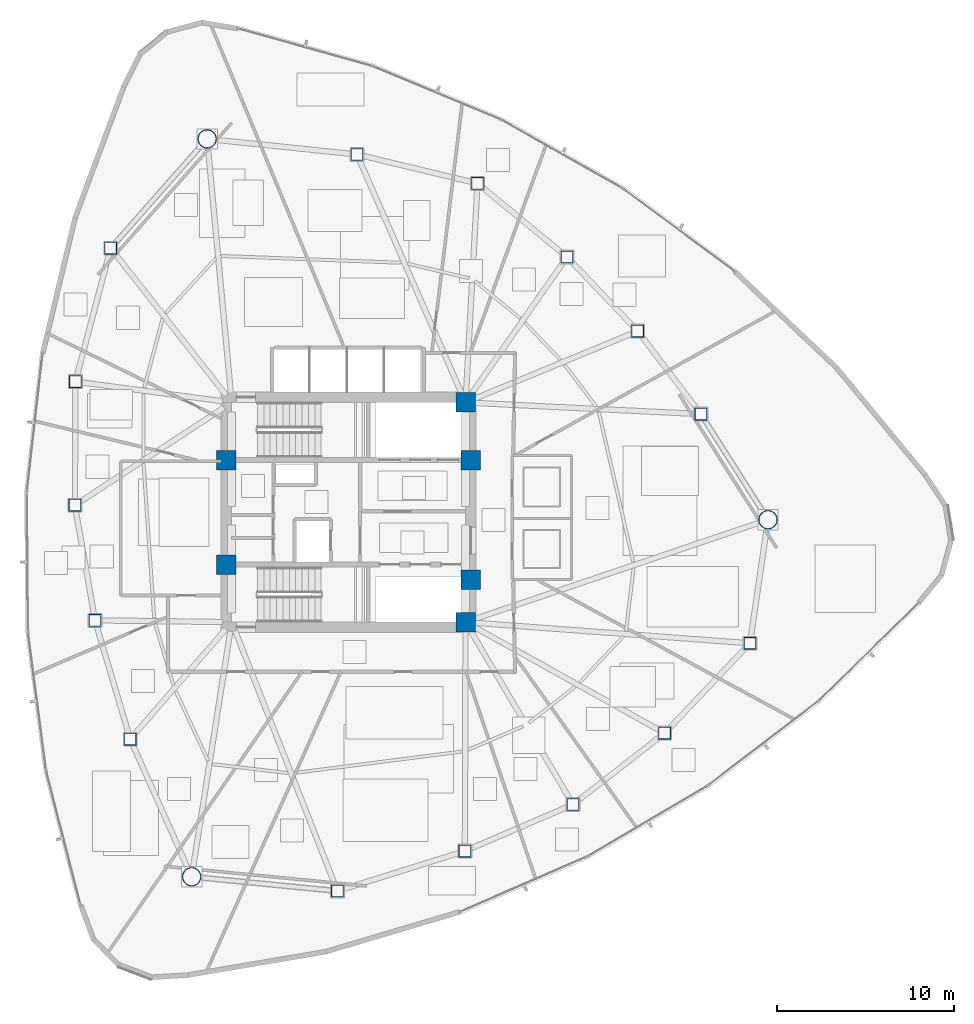
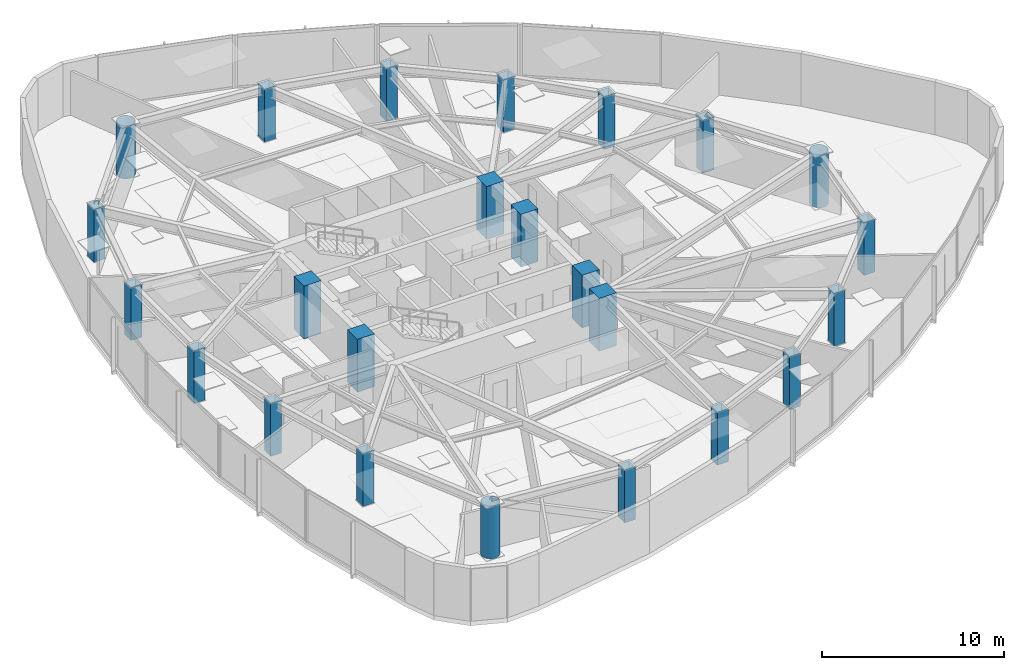
# One storey, part 1 of 18: 24 columns.
"""IFC4 building model written with IfcOpenShell, lengths in metres."""

from ifc_helpers import new_model, si_unit, direction, frame, origin, origin_2d, place, context, subcontext, project, spatial, rectangle, hollow_rectangle, hollow_circle, extrude, material, material_profile, profile_set, type_object, element, save


model = new_model("IFC4")

# Units and contexts
model_context = context("Model", 3, precision=1e-05, world=origin(), true_north=direction((0.0, 1.0)))
body_context = subcontext(model_context, "Body", "Model", "MODEL_VIEW")
ifc_project = project(units=[si_unit("LENGTHUNIT", "METRE"), si_unit("AREAUNIT", "SQUARE_METRE"), si_unit("VOLUMEUNIT", "CUBIC_METRE"), si_unit("PLANEANGLEUNIT", "RADIAN"), si_unit("MASSUNIT", "GRAM", prefix="KILO")], contexts=[model_context])

# Site, building, storey
site_placement = place(None, origin())
site = spatial("IfcSite", under=ifc_project, at=site_placement, CompositionType="ELEMENT")
building_placement = place(site_placement, origin())
building = spatial("IfcBuilding", under=site, at=building_placement, Name="Tavelor Broadcast Tower", CompositionType="ELEMENT")
storey_placement = place(building_placement, frame((0.0, 0.0, 146.39990234375)))
storey = spatial("IfcBuildingStorey", under=building, at=storey_placement, Name="L34", CompositionType="ELEMENT", Elevation=146.39990234375)

# Columns
ifc_material_1 = material(Name="Concrete C60/75", Category="concrete")
ifc_material_profile_1 = material_profile(ifc_material_1, rectangle(XDim=1.10009765625, YDim=1.10009765625, at=origin_2d()), Name="RC 1100x1100")
ifc_profile_set_1 = profile_set([ifc_material_profile_1], Name="Concrete C60/75")
column_type_1 = type_object("IfcColumnType", Name="Core Embedded Composite Column RC1100", PredefinedType="COLUMN", material=ifc_profile_set_1)
for number, where, z_axis, x_axis, name in (
    (1, (43.10009765625, 47.949951171875, 0.0), (0.0, 0.0, 1.0), (1.0, 0.0, 0.0), "L34 Core Embedded Column 1"),
    (2, (56.89990234375, 47.949951171875, 0.0), (0.0, 0.0, 1.0), (1.0, 0.0, 0.0), "L34 Core Embedded Column 2"),
    (3, (56.60009765625, 51.199951171875, 0.0), (0.0, 0.0, 1.0), (1.0, 0.0, 0.0), "L34 Core Embedded Column 3"),
    (4, (43.10009765625, 42.050048828125, 0.0), (0.0, 0.0, 1.0), (1.0, 0.0, 0.0), "L34 Core Embedded Column 4"),
    (5, (56.89990234375, 41.199951171875, 0.0), (0.0, 0.0, 1.0), (1.0, 0.0, 0.0), "L34 Core Embedded Column 5"),
    (6, (56.60009765625, 38.800048828125, 0.0), (0.0, 0.0, 1.0), (1.0, 0.0, 0.0), "L34 Core Embedded Column 6"),
):
    element("IfcColumn", number, at=place(storey_placement, frame(where, z_axis=z_axis, x_axis=x_axis)), inside=storey, type_object=column_type_1, Name=name, PredefinedType="COLUMN", context=body_context, shape_type="SweptSolid", body=[
        extrude(rectangle(XDim=1.10009765625, YDim=1.10009765625, at=origin_2d()), origin(), (0.0, 0.0, 1.0), 3.550048828125),
    ])
ifc_material_2 = material(Name="Steel S460", Category="steel")
ifc_material_profile_2 = material_profile(ifc_material_2, hollow_rectangle(XDim=0.699951171875, YDim=0.699951171875, WallThickness=0.0400390625, at=origin_2d()), Name="SHS 700x700x40")
ifc_profile_set_2 = profile_set([ifc_material_profile_2], Name="Steel S460")
column_type_2 = type_object("IfcColumnType", Name="Perimeter Tube Column T3 SHS 700x700x40", PredefinedType="COLUMN", material=ifc_profile_set_2)
for number, where, z_axis, x_axis, name in (
    (7, (36.567626953125, 59.91064453125, 0.0), (0.0, 0.0, 1.0), (1.0, 0.0, 0.0), "L34 Perimeter Framed-Tube Column 02"),
    (8, (34.5751953125, 52.37939453125, 0.0), (0.0, 0.0, 1.0), (1.0, 0.0, 0.0), "L34 Perimeter Framed-Tube Column 03"),
    (9, (34.54638671875, 45.399169921875, 0.0), (0.0, 0.0, 1.0), (1.0, 0.0, 0.0), "L34 Perimeter Framed-Tube Column 04"),
    (10, (35.680908203125, 38.89990234375, 0.0), (0.0, 0.0, 1.0), (1.0, 0.0, 0.0), "L34 Perimeter Framed-Tube Column 05"),
    (11, (37.668212890625, 32.1904296875, 0.0), (0.0, 0.0, 1.0), (1.0, 0.0, 0.0), "L34 Perimeter Framed-Tube Column 06"),
    (12, (49.366455078125, 23.618896484375, 0.0), (0.0, 0.0, 1.0), (1.0, 0.0, 0.0), "L34 Perimeter Framed-Tube Column 08"),
    (13, (56.56103515625, 25.872802734375, 0.0), (0.0, 0.0, 1.0), (1.0, 0.0, 0.0), "L34 Perimeter Framed-Tube Column 09"),
    (14, (62.669189453125, 28.503173828125, 0.0), (0.0, 0.0, 1.0), (1.0, 0.0, 0.0), "L34 Perimeter Framed-Tube Column 10"),
    (15, (67.84228515625, 32.53173828125, 0.0), (0.0, 0.0, 1.0), (1.0, 0.0, 0.0), "L34 Perimeter Framed-Tube Column 11"),
    (16, (72.6591796875, 37.607421875, 0.0), (0.0, 0.0, 1.0), (1.0, 0.0, 0.0), "L34 Perimeter Framed-Tube Column 12"),
    (17, (69.885986328125, 50.544189453125, 0.0), (0.0, 0.0, 1.0), (1.0, 0.0, 0.0), "L34 Perimeter Framed-Tube Column 14"),
    (18, (66.322021484375, 55.228759765625, 0.0), (0.0, 0.0, 1.0), (1.0, 0.0, 0.0), "L34 Perimeter Framed-Tube Column 15"),
    (19, (62.330810546875, 59.416259765625, 0.0), (0.0, 0.0, 1.0), (1.0, 0.0, 0.0), "L34 Perimeter Framed-Tube Column 16"),
    (20, (57.276611328125, 63.568359375, 0.0), (0.0, 0.0, 1.0), (1.0, 0.0, 0.0), "L34 Perimeter Framed-Tube Column 17"),
    (21, (50.472412109375, 65.2021484375, 0.0), (0.0, 0.0, 1.0), (1.0, 0.0, 0.0), "L34 Perimeter Framed-Tube Column 18"),
):
    element("IfcColumn", number, at=place(storey_placement, frame(where, z_axis=z_axis, x_axis=x_axis)), inside=storey, type_object=column_type_2, Name=name, PredefinedType="COLUMN", context=body_context, shape_type="SweptSolid", body=[
        extrude(hollow_rectangle(XDim=0.699951171875, YDim=0.699951171875, WallThickness=0.0400390625, at=origin_2d()), origin(), (0.0, 0.0, 1.0), 3.550048828125),
    ])
ifc_material_profile_3 = material_profile(ifc_material_2, hollow_circle(Radius=0.533447265625, WallThickness=0.044921875, at=origin_2d()), Name="CHS 1067x45")
ifc_profile_set_3 = profile_set([ifc_material_profile_3], Name="Steel S460")
column_type_3 = type_object("IfcColumnType", Name="Tower Mega Column T3 CHS 1067x45", PredefinedType="COLUMN", material=ifc_profile_set_3)
for number, where, z_axis, x_axis, name in (
    (22, (42.01123046875, 66.080078125, 0.0), (0.0, 0.0, 1.0), (1.0, 0.0, 0.0), "L34 Tower Corner Mega Column 01"),
    (23, (41.138671875, 24.423828125, 0.0), (0.0, 0.0, 1.0), (1.0, 0.0, 0.0), "L34 Tower Corner Mega Column 07"),
    (24, (73.676025390625, 44.57958984375, 0.0), (0.0, 0.0, 1.0), (1.0, 0.0, 0.0), "L34 Tower Corner Mega Column 13"),
):
    element("IfcColumn", number, at=place(storey_placement, frame(where, z_axis=z_axis, x_axis=x_axis)), inside=storey, type_object=column_type_3, Name=name, PredefinedType="COLUMN", context=body_context, shape_type="SweptSolid", body=[
        extrude(hollow_circle(Radius=0.533447265625, WallThickness=0.044921875, at=origin_2d()), origin(), (0.0, 0.0, 1.0), 3.550048828125),
    ])

save(model, "model.ifc")
